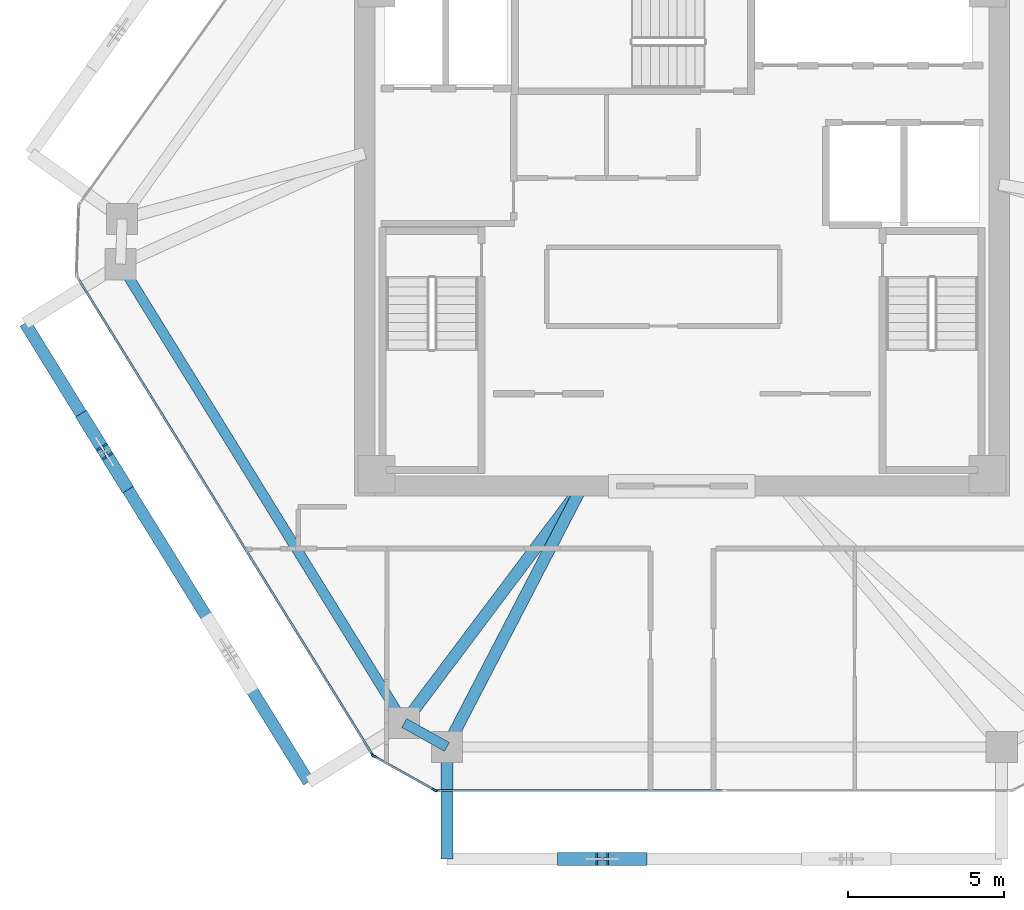
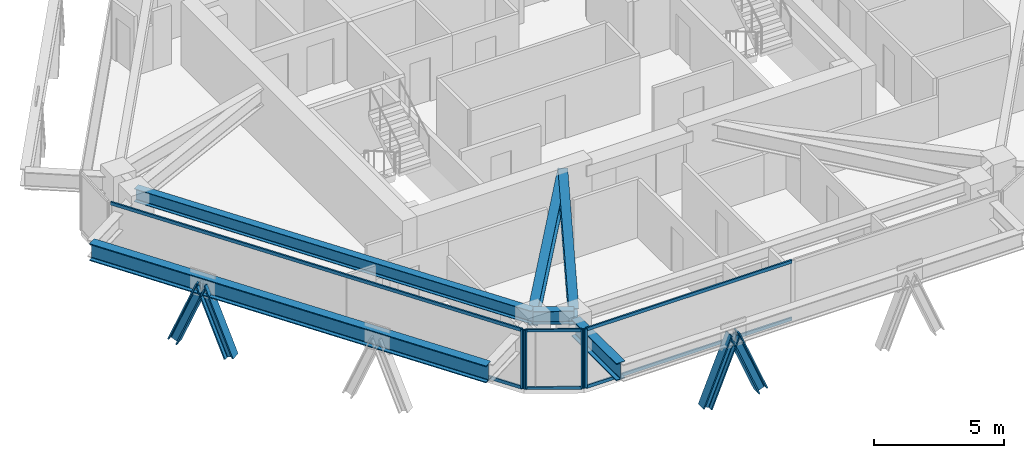
# One storey, part 2 of 14: 14 members, 6 beams, 3 elements without a shape of their own.
"""IFC4 building model written with IfcOpenShell, lengths in metres."""

from ifc_helpers import new_model, si_unit, direction, frame, origin, origin_2d, place, context, subcontext, project, spatial, rectangle, i_section, extrude, source, transform, mapped, material, layer, layer_set, material_profile, profile_set, type_object, type_shapes, element, aggregate, save


model = new_model("IFC4")

# Units and contexts
model_context = context("Model", 3, precision=1e-05, world=origin(), true_north=direction((0.0, 1.0)))
body_context = subcontext(model_context, "Body", "Model", "MODEL_VIEW")
ifc_project = project(units=[si_unit("LENGTHUNIT", "METRE"), si_unit("AREAUNIT", "SQUARE_METRE"), si_unit("VOLUMEUNIT", "CUBIC_METRE"), si_unit("PLANEANGLEUNIT", "RADIAN"), si_unit("MASSUNIT", "GRAM", prefix="KILO")], contexts=[model_context])

# Site, building, storey
site_placement = place(None, origin())
site = spatial("IfcSite", under=ifc_project, at=site_placement, CompositionType="ELEMENT")
building_placement = place(site_placement, origin())
building = spatial("IfcBuilding", under=site, at=building_placement, Name="Durnholm Broadcast Tower", CompositionType="ELEMENT")
storey_placement = place(building_placement, frame((0.0, 0.0, 200.199951171875)))
storey = spatial("IfcBuildingStorey", under=building, at=storey_placement, Name="L55", CompositionType="ELEMENT", Elevation=200.199951171875)

# Beams
ifc_material_1 = material(Name="Steel ASTM A992 Grade 50", Category="steel")
ifc_material_profile_1 = material_profile(ifc_material_1, i_section(OverallWidth=0.385009765625, OverallDepth=0.802978515625, WebThickness=0.023681640625, FlangeThickness=0.0419921875, FilletRadius=0.032958984375, at=origin_2d()), Name="W30X261")
ifc_profile_set_1 = profile_set([ifc_material_profile_1], Name="Steel ASTM A992 Grade 50")
beam_type_1 = type_object("IfcBeamType", Name="BM-EXO-TIE", PredefinedType="USERDEFINED", material=ifc_profile_set_1)
shared_shape_1 = source(origin(), body_context, "Body", "SweptSolid", [
    extrude(i_section(OverallWidth=0.385009765625, OverallDepth=0.802978515625, WebThickness=0.023681640625, FlangeThickness=0.0419921875, FilletRadius=0.032958984375, at=origin_2d()), origin(), (0.0, 0.0, 1.0), 3.4560546875),
])
beam_1_placement = place(storey_placement, frame((-7.53955078125, -16.68603515625, 2.008544921875), z_axis=(0.0, -1.0, 0.0), x_axis=(1.0, 0.0, 0.0)))
element("IfcBeam", 1, at=beam_1_placement, inside=storey, type_object=beam_type_1, Name="L55 exoskeleton stand-off tie bracket F1.1", ObjectType="GIRDER", PredefinedType="USERDEFINED", context=body_context, shape_type="MappedRepresentation", body=[
    mapped(shared_shape_1, transform((0.0, 0.0, 0.0), x_axis=(1.0, 0.0, 0.0), y_axis=(0.0, 1.0, 0.0), z_axis=(0.0, 0.0, 1.0), scale=1.0)),
])
ifc_material_profile_2 = material_profile(ifc_material_1, i_section(OverallWidth=0.3251953125, OverallDepth=0.6162109375, WebThickness=0.013916015625, FlangeThickness=0.021484375, FilletRadius=0.02783203125, at=origin_2d()), Name="W24X117")
ifc_profile_set_2 = profile_set([ifc_material_profile_2], Name="Steel ASTM A992 Grade 50")
beam_type_2 = type_object("IfcBeamType", Name="STL-SP-W24X117", PredefinedType="SPANDREL", material=ifc_profile_set_2)
shared_shape_2 = source(origin(), body_context, "Body", "SweptSolid", [
    extrude(i_section(OverallWidth=0.3251953125, OverallDepth=0.6162109375, WebThickness=0.013916015625, FlangeThickness=0.021484375, FilletRadius=0.02783203125, at=origin_2d()), origin(), (0.0, 0.0, 1.0), 17.3037109375),
])
beam_2_placement = place(storey_placement, frame((-8.91259765625, -15.7763671875, 2.43701171875), z_axis=(-0.525695324718, 0.850672925142, 0.0), x_axis=(-0.850672925142, -0.525695324718, 0.0)))
element("IfcBeam", 2, at=beam_2_placement, inside=storey, type_object=beam_type_2, Name="L55 perimeter spandrel girder 01", PredefinedType="SPANDREL", context=body_context, shape_type="MappedRepresentation", body=[
    mapped(shared_shape_2, transform((0.0, 0.0, 0.0), x_axis=(1.0, 0.0, 0.0), y_axis=(0.0, 1.0, 0.0), z_axis=(0.0, 0.0, 1.0), scale=1.0)),
])
shared_shape_3 = source(origin(), body_context, "Body", "SweptSolid", [
    extrude(i_section(OverallWidth=0.3251953125, OverallDepth=0.6162109375, WebThickness=0.013916015625, FlangeThickness=0.021484375, FilletRadius=0.02783203125, at=origin_2d()), origin(), (0.0, 0.0, 1.0), 1.572021484375),
])
type_shapes(beam_type_2, [shared_shape_2, shared_shape_3])
beam_3_placement = place(storey_placement, frame((-7.53955078125, -16.5419921875, 2.43701171875), z_axis=(-0.873394362663, 0.487013641769, 0.0), x_axis=(-0.487013641769, -0.873394362663, 0.0)))
element("IfcBeam", 3, at=beam_3_placement, inside=storey, type_object=beam_type_2, Name="L55 perimeter spandrel girder 12", PredefinedType="SPANDREL", context=body_context, shape_type="MappedRepresentation", body=[
    mapped(shared_shape_3, transform((0.0, 0.0, 0.0), x_axis=(1.0, 0.0, 0.0), y_axis=(0.0, 1.0, 0.0), z_axis=(0.0, 0.0, 1.0), scale=1.0)),
])
shared_shape_4 = source(origin(), body_context, "Body", "SweptSolid", [
    extrude(i_section(OverallWidth=0.385009765625, OverallDepth=0.802978515625, WebThickness=0.023681640625, FlangeThickness=0.0419921875, FilletRadius=0.032958984375, at=origin_2d()), origin(), (0.0, 0.0, 1.0), 17.303466796875),
])
type_shapes(beam_type_1, [shared_shape_1, shared_shape_4])
beam_4_placement = place(storey_placement, frame((-21.071533203125, -2.94921875, 2.008544921875), z_axis=(0.525701634347, -0.850669025911, 0.0), x_axis=(0.850669025911, 0.525701634347, 0.0)))
element("IfcBeam", 4, at=beam_4_placement, inside=storey, type_object=beam_type_1, Name="L55 exoskeleton collector spandrel F6", PredefinedType="SPANDREL", context=body_context, shape_type="MappedRepresentation", body=[
    mapped(shared_shape_4, transform((0.0, 0.0, 0.0), x_axis=(1.0, 0.0, 0.0), y_axis=(0.0, 1.0, 0.0), z_axis=(0.0, 0.0, 1.0), scale=1.0)),
])
ifc_material_profile_3 = material_profile(ifc_material_1, i_section(OverallWidth=0.380615234375, OverallDepth=0.773193359375, WebThickness=0.0166015625, FlangeThickness=0.027099609375, FilletRadius=0.032958984375, at=origin_2d()), Name="W30X173")
ifc_profile_set_3 = profile_set([ifc_material_profile_3], Name="Steel ASTM A992 Grade 50")
beam_type_3 = type_object("IfcBeamType", Name="STL-GR-W30X173", PredefinedType="USERDEFINED", material=ifc_profile_set_3)
shared_shape_5 = source(origin(), body_context, "Body", "SweptSolid", [
    extrude(i_section(OverallWidth=0.380615234375, OverallDepth=0.773193359375, WebThickness=0.0166015625, FlangeThickness=0.027099609375, FilletRadius=0.032958984375, at=origin_2d()), origin(), (0.0, 0.0, 1.0), 9.508544921875),
])
beam_5_placement = place(storey_placement, frame((-3.199951171875, -8.175048828125, 2.3583984375), z_axis=(-0.600784359039, -0.799411129479, 0.0), x_axis=(0.799411129479, -0.600784359039, 0.0)))
element("IfcBeam", 5, at=beam_5_placement, inside=storey, type_object=beam_type_3, Name="L55 radial primary floor girder 01", ObjectType="GIRDER", PredefinedType="USERDEFINED", context=body_context, shape_type="MappedRepresentation", body=[
    mapped(shared_shape_5, transform((0.0, 0.0, 0.0), x_axis=(1.0, 0.0, 0.0), y_axis=(0.0, 1.0, 0.0), z_axis=(0.0, 0.0, 1.0), scale=1.0)),
])
shared_shape_6 = source(origin(), body_context, "Body", "SweptSolid", [
    extrude(i_section(OverallWidth=0.380615234375, OverallDepth=0.773193359375, WebThickness=0.0166015625, FlangeThickness=0.027099609375, FilletRadius=0.032958984375, at=origin_2d()), origin(), (0.0, 0.0, 1.0), 9.42529296875),
])
type_shapes(beam_type_3, [shared_shape_5, shared_shape_6])
beam_6_placement = place(storey_placement, frame((-3.199951171875, -8.175048828125, 2.3583984375), z_axis=(-0.460416206992, -0.887703169048, 0.0), x_axis=(0.887703169048, -0.460416206992, 0.0)))
element("IfcBeam", 6, at=beam_6_placement, inside=storey, type_object=beam_type_3, Name="L55 radial primary floor girder 12", ObjectType="GIRDER", PredefinedType="USERDEFINED", context=body_context, shape_type="MappedRepresentation", body=[
    mapped(shared_shape_6, transform((0.0, 0.0, 0.0), x_axis=(1.0, 0.0, 0.0), y_axis=(0.0, 1.0, 0.0), z_axis=(0.0, 0.0, 1.0), scale=1.0)),
])

# Members
ifc_material_2 = material(Name="Steel ASTM A913 Grade 65", Category="steel")
ifc_material_profile_4 = material_profile(ifc_material_2, i_section(OverallWidth=0.412109375, OverallDepth=0.434814453125, WebThickness=0.035888671875, FlangeThickness=0.057373046875, FilletRadius=0.030517578125, at=origin_2d()), Name="W14X311")
ifc_profile_set_4 = profile_set([ifc_material_profile_4], Name="Steel ASTM A913 Grade 65")
member_type_1 = type_object("IfcMemberType", Name="STL-DG-W14X311", PredefinedType="BRACE", material=ifc_profile_set_4)
shared_shape_7 = source(origin(), body_context, "Body", "SweptSolid", [
    extrude(i_section(OverallWidth=0.412109375, OverallDepth=0.434814453125, WebThickness=0.035888671875, FlangeThickness=0.057373046875, FilletRadius=0.030517578125, at=origin_2d()), origin(), (0.0, 0.0, 1.0), 3.24365234375),
])
for number, where, z_axis, x_axis, name in (
    (7, (-3.790283203125, -20.14208984375, -0.991455078125), (0.380314428078, 0.0, 0.924857251578), (0.0, 1.0, 0.0), "L55 stand-off diagrid brace F1.D1.1"),
    (8, (-17.8759765625, -8.120361328125, -0.991455078125), (-0.19990238351, 0.323561877527, 0.924849581542), (-0.850732935913, -0.525598203719, 0.0), "L55 stand-off diagrid brace F6.D1.2"),
):
    element("IfcMember", number, at=place(storey_placement, frame(where, z_axis=z_axis, x_axis=x_axis)), inside=storey, type_object=member_type_1, Name=name, PredefinedType="BRACE", context=body_context, shape_type="MappedRepresentation", body=[
        mapped(shared_shape_7, transform((0.0, 0.0, 0.0), x_axis=(1.0, 0.0, 0.0), y_axis=(0.0, 1.0, 0.0), z_axis=(0.0, 0.0, 1.0), scale=1.0)),
    ])
shared_shape_8 = source(origin(), body_context, "Body", "SweptSolid", [
    extrude(i_section(OverallWidth=0.412109375, OverallDepth=0.434814453125, WebThickness=0.035888671875, FlangeThickness=0.057373046875, FilletRadius=0.030517578125, at=origin_2d()), origin(), (0.0, 0.0, 1.0), 3.243896484375),
])
type_shapes(member_type_1, [shared_shape_7, shared_shape_8])
for number, where, z_axis, x_axis, name in (
    (9, (-1.32275390625, -20.14208984375, -0.991455078125), (-0.380378804119, 0.0, 0.924830776616), (0.0, -1.0, 0.0), "L55 stand-off diagrid brace F1.D1.2"),
    (10, (-19.173095703125, -6.021240234375, -0.991455078125), (0.199974638691, -0.323557008556, 0.924835664372), (0.850644447398, 0.525741404219, 0.0), "L55 stand-off diagrid brace F6.D1.1"),
):
    element("IfcMember", number, at=place(storey_placement, frame(where, z_axis=z_axis, x_axis=x_axis)), inside=storey, type_object=member_type_1, Name=name, PredefinedType="BRACE", context=body_context, shape_type="MappedRepresentation", body=[
        mapped(shared_shape_8, transform((0.0, 0.0, 0.0), x_axis=(1.0, 0.0, 0.0), y_axis=(0.0, 1.0, 0.0), z_axis=(0.0, 0.0, 1.0), scale=1.0)),
    ])

# Curtain wall, members
ifc_material_3 = material(Name="Aluminium and Solar Control IGU", Category="aluminium")
ifc_layer_1 = layer(ifc_material_3, 0.1650390625)
ifc_layer_set_1 = layer_set([ifc_layer_1], Name="Aluminium and Solar Control IGU")
curtain_wall_type_1 = type_object("IfcCurtainWallType", Name="CW-SYS-5", PredefinedType="NOTDEFINED", material=ifc_layer_set_1)
curtain_wall_1_placement = place(storey_placement, origin())
curtain_wall_1 = element("IfcCurtainWall", 11, at=curtain_wall_1_placement, inside=storey, type_object=curtain_wall_type_1, Name="L55 curtain wall CW-CORNER CW-L55-CRN-11", PredefinedType="NOTDEFINED")
ifc_material_4 = material(Name="Aluminium 6063-T6", Category="aluminium")
ifc_material_profile_5 = material_profile(ifc_material_4, rectangle(XDim=0.06494140625, YDim=0.1650390625, at=origin_2d()), Name="CWM65X165")
ifc_profile_set_5 = profile_set([ifc_material_profile_5], Name="Aluminium 6063-T6")
member_type_2 = type_object("IfcMemberType", Name="CW-SYS-5-MUL", PredefinedType="MULLION", material=ifc_profile_set_5)
shared_shape_9 = source(origin(), body_context, "Body", "SweptSolid", [
    extrude(rectangle(XDim=0.06494140625, YDim=0.1650390625, at=origin_2d()), origin(), (0.0, 0.0, 1.0), 2.760009765625),
])
type_shapes(member_type_2, [shared_shape_9])
member_1_placement = place(storey_placement, frame((-7.931884765625, -17.92626953125, 0.0), z_axis=(0.0, 0.0, 1.0), x_axis=(-0.486986043316, -0.873409751271, 0.0)))
member_1 = element("IfcMember", 12, at=member_1_placement, type_object=member_type_2, Name="CW-CORNER mullion 1", PredefinedType="MULLION", context=body_context, shape_type="MappedRepresentation", body=[
    mapped(shared_shape_9, transform((0.0, 0.0, 0.0), x_axis=(1.0, 0.0, 0.0), y_axis=(0.0, 1.0, 0.0), z_axis=(0.0, 0.0, 1.0), scale=1.0)),
])
member_2_placement = place(storey_placement, frame((-9.884033203125, -16.837646484375, 0.0), z_axis=(0.0, 0.0, 1.0), x_axis=(-0.486986043316, -0.873409751271, 0.0)))
member_2 = element("IfcMember", 13, at=member_2_placement, type_object=member_type_2, Name="CW-CORNER mullion 2", PredefinedType="MULLION", context=body_context, shape_type="MappedRepresentation", body=[
    mapped(shared_shape_9, transform((0.0, 0.0, 0.0), x_axis=(1.0, 0.0, 0.0), y_axis=(0.0, 1.0, 0.0), z_axis=(0.0, 0.0, 1.0), scale=1.0)),
])
ifc_material_profile_6 = material_profile(ifc_material_4, rectangle(XDim=0.06494140625, YDim=0.1298828125, at=origin_2d()), Name="CWT65X130")
ifc_profile_set_6 = profile_set([ifc_material_profile_6], Name="Aluminium 6063-T6")
member_type_3 = type_object("IfcMemberType", Name="CW-SYS-5-TRN", PredefinedType="USERDEFINED", material=ifc_profile_set_6)
shared_shape_10 = source(origin(), body_context, "Body", "SweptSolid", [
    extrude(rectangle(XDim=0.06494140625, YDim=0.1298828125, at=origin_2d()), origin(), (0.0, 0.0, 1.0), 2.169921875),
])
type_shapes(member_type_3, [shared_shape_10])
member_3_placement = place(storey_placement, frame((-7.960205078125, -17.910400390625, 0.032470703125), z_axis=(-0.873381360539, 0.487036958621, 0.0), x_axis=(-0.487036958621, -0.873381360539, 0.0)))
member_3 = element("IfcMember", 14, at=member_3_placement, type_object=member_type_3, Name="CW-CORNER transom 1.1", ObjectType="TRANSOM", PredefinedType="USERDEFINED", context=body_context, shape_type="MappedRepresentation", body=[
    mapped(shared_shape_10, transform((0.0, 0.0, 0.0), x_axis=(1.0, 0.0, 0.0), y_axis=(0.0, 1.0, 0.0), z_axis=(0.0, 0.0, 1.0), scale=1.0)),
])
member_4_placement = place(storey_placement, frame((-7.960205078125, -17.910400390625, 2.7275390625), z_axis=(-0.873381360539, 0.487036958621, 0.0), x_axis=(-0.487036958621, -0.873381360539, 0.0)))
member_4 = element("IfcMember", 15, at=member_4_placement, type_object=member_type_3, Name="CW-CORNER transom 1.2", ObjectType="TRANSOM", PredefinedType="USERDEFINED", context=body_context, shape_type="MappedRepresentation", body=[
    mapped(shared_shape_10, transform((0.0, 0.0, 0.0), x_axis=(1.0, 0.0, 0.0), y_axis=(0.0, 1.0, 0.0), z_axis=(0.0, 0.0, 1.0), scale=1.0)),
])
aggregate(curtain_wall_1, [member_1, member_2, member_3, member_4])

ifc_layer_2 = layer(ifc_material_3, 0.18994140625)
ifc_layer_set_2 = layer_set([ifc_layer_2], Name="Aluminium and Solar Control IGU")
curtain_wall_type_2 = type_object("IfcCurtainWallType", Name="CW-SYS-4", PredefinedType="NOTDEFINED", material=ifc_layer_set_2)
curtain_wall_2_placement = place(storey_placement, origin())
curtain_wall_2 = element("IfcCurtainWall", 16, at=curtain_wall_2_placement, inside=storey, type_object=curtain_wall_type_2, Name="L55 curtain wall CW-Z34-VIS CW-L55-F10", PredefinedType="NOTDEFINED")
ifc_material_profile_7 = material_profile(ifc_material_4, rectangle(XDim=0.070068359375, YDim=0.14990234375, at=origin_2d()), Name="CWT70X150")
ifc_profile_set_7 = profile_set([ifc_material_profile_7], Name="Aluminium 6063-T6")
member_type_4 = type_object("IfcMemberType", Name="CW-SYS-4-TRN", PredefinedType="USERDEFINED", material=ifc_profile_set_7)
shared_shape_11 = source(origin(), body_context, "Body", "SweptSolid", [
    extrude(rectangle(XDim=0.070068359375, YDim=0.14990234375, at=origin_2d()), origin(), (0.0, 0.0, 1.0), 9.14453125),
])
member_5_placement = place(storey_placement, frame((1.31103515625, -17.94189453125, 0.03515625), z_axis=(-1.0, 0.0, 0.0), x_axis=(0.0, -1.0, 0.0)))
member_5 = element("IfcMember", 17, at=member_5_placement, type_object=member_type_4, Name="CW-Z34-VIS transom 2.1", ObjectType="TRANSOM", PredefinedType="USERDEFINED", context=body_context, shape_type="MappedRepresentation", body=[
    mapped(shared_shape_11, transform((0.0, 0.0, 0.0), x_axis=(1.0, 0.0, 0.0), y_axis=(0.0, 1.0, 0.0), z_axis=(0.0, 0.0, 1.0), scale=1.0)),
])
member_6_placement = place(storey_placement, frame((1.31103515625, -17.94189453125, 2.72509765625), z_axis=(-1.0, 0.0, 0.0), x_axis=(0.0, -1.0, 0.0)))
member_6 = element("IfcMember", 18, at=member_6_placement, type_object=member_type_4, Name="CW-Z34-VIS transom 2.2", ObjectType="TRANSOM", PredefinedType="USERDEFINED", context=body_context, shape_type="MappedRepresentation", body=[
    mapped(shared_shape_11, transform((0.0, 0.0, 0.0), x_axis=(1.0, 0.0, 0.0), y_axis=(0.0, 1.0, 0.0), z_axis=(0.0, 0.0, 1.0), scale=1.0)),
])

curtain_wall_3_placement = place(storey_placement, origin())
curtain_wall_3 = element("IfcCurtainWall", 19, at=curtain_wall_3_placement, inside=storey, type_object=curtain_wall_type_2, Name="L55 curtain wall CW-Z34-VIS CW-L55-F12", PredefinedType="NOTDEFINED")
shared_shape_12 = source(origin(), body_context, "Body", "SweptSolid", [
    extrude(rectangle(XDim=0.070068359375, YDim=0.14990234375, at=origin_2d()), origin(), (0.0, 0.0, 1.0), 17.951171875),
])
type_shapes(member_type_4, [shared_shape_11, shared_shape_12])
member_7_placement = place(storey_placement, frame((-9.94921875, -16.762451171875, 0.03515625), z_axis=(-0.525693813807, 0.850673858847, 0.0), x_axis=(-0.850673858847, -0.525693813807, 0.0)))
member_7 = element("IfcMember", 20, at=member_7_placement, type_object=member_type_4, Name="CW-Z34-VIS transom 1.1", ObjectType="TRANSOM", PredefinedType="USERDEFINED", context=body_context, shape_type="MappedRepresentation", body=[
    mapped(shared_shape_12, transform((0.0, 0.0, 0.0), x_axis=(1.0, 0.0, 0.0), y_axis=(0.0, 1.0, 0.0), z_axis=(0.0, 0.0, 1.0), scale=1.0)),
])
member_8_placement = place(storey_placement, frame((-9.94921875, -16.762451171875, 2.72509765625), z_axis=(-0.525693813807, 0.850673858847, 0.0), x_axis=(-0.850673858847, -0.525693813807, 0.0)))
member_8 = element("IfcMember", 21, at=member_8_placement, type_object=member_type_4, Name="CW-Z34-VIS transom 1.2", ObjectType="TRANSOM", PredefinedType="USERDEFINED", context=body_context, shape_type="MappedRepresentation", body=[
    mapped(shared_shape_12, transform((0.0, 0.0, 0.0), x_axis=(1.0, 0.0, 0.0), y_axis=(0.0, 1.0, 0.0), z_axis=(0.0, 0.0, 1.0), scale=1.0)),
])

# Member
ifc_material_profile_8 = material_profile(ifc_material_4, rectangle(XDim=0.070068359375, YDim=0.18994140625, at=origin_2d()), Name="CWM70X190")
ifc_profile_set_8 = profile_set([ifc_material_profile_8], Name="Aluminium 6063-T6")
member_type_5 = type_object("IfcMemberType", Name="CW-SYS-4-MUL", PredefinedType="MULLION", material=ifc_profile_set_8)
shared_shape_13 = source(origin(), body_context, "Body", "SweptSolid", [
    extrude(rectangle(XDim=0.070068359375, YDim=0.18994140625, at=origin_2d()), origin(), (0.0, 0.0, 1.0), 2.760009765625),
])
type_shapes(member_type_5, [shared_shape_13])
member_9_placement = place(storey_placement, frame((-7.868408203125, -17.94189453125, 0.0), z_axis=(0.0, 0.0, 1.0), x_axis=(0.0, -1.0, 0.0)))
member_9 = element("IfcMember", 22, at=member_9_placement, type_object=member_type_5, Name="CW-Z34-VIS mullion 3", PredefinedType="MULLION", context=body_context, shape_type="MappedRepresentation", body=[
    mapped(shared_shape_13, transform((0.0, 0.0, 0.0), x_axis=(1.0, 0.0, 0.0), y_axis=(0.0, 1.0, 0.0), z_axis=(0.0, 0.0, 1.0), scale=1.0)),
])

aggregate(curtain_wall_2, [member_9, member_5, member_6])

member_10_placement = place(storey_placement, frame((-9.9306640625, -16.792236328125, 0.0), z_axis=(0.0, 0.0, 1.0), x_axis=(-0.850671426092, -0.525697750452, 0.0)))
member_10 = element("IfcMember", 23, at=member_10_placement, type_object=member_type_5, Name="CW-Z34-VIS mullion 1", PredefinedType="MULLION", context=body_context, shape_type="MappedRepresentation", body=[
    mapped(shared_shape_13, transform((0.0, 0.0, 0.0), x_axis=(1.0, 0.0, 0.0), y_axis=(0.0, 1.0, 0.0), z_axis=(0.0, 0.0, 1.0), scale=1.0)),
])

aggregate(curtain_wall_3, [member_10, member_7, member_8])

save(model, "model.ifc")
